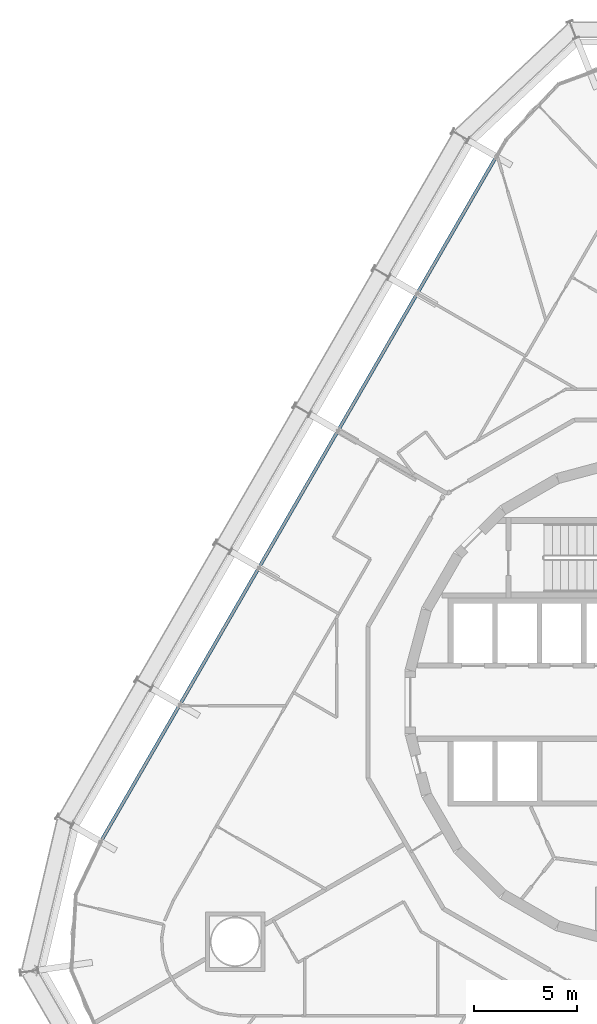
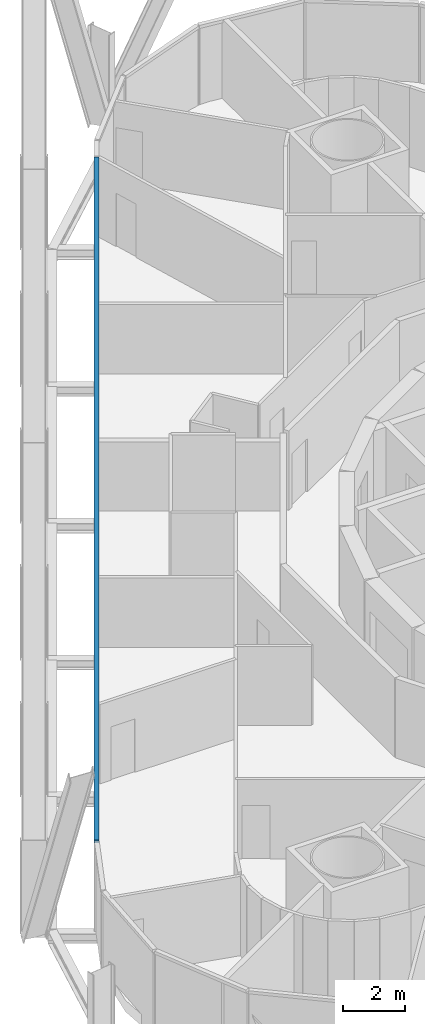
# One storey, part 6 of 21: 1 member, 1 element without a shape of its own.
"""IFC4 building model written with IfcOpenShell, lengths in metres."""

import ifcopenshell
import ifcopenshell.guid

model = None  # the IFC model being written
_history = None  # IfcOwnerHistory: only IFC2X3 demands one
_inside = {}  # id of a spatial element -> (the spatial element, [elements in it])
_under = {}  # id of a project, library or spatial element -> (it, [spatial elements below it])
_declared = {}  # id of a project -> (the project, [libraries it declares])
_typed = {}  # id of a type object -> (the type object, [elements of that type])
_made_of = {}  # id of a material, layer set ... -> (it, [elements and type objects made of it])


def new_model(schema):
    """Start an empty IFC model of exactly this schema.

    Asked for "IFC4X3", IfcOpenShell would pick the latest addendum, in which some entities
    have other attributes; the version numbers below select the first issue.
    IFC2X3 requires an IfcOwnerHistory on every rooted entity: one is made here for all.
    """
    global model, _history
    if schema == "IFC4X3":
        model = ifcopenshell.file(schema_version=(4, 3, 0, 0))
    else:
        model = ifcopenshell.file(schema=schema)
    _inside.clear()
    _under.clear()
    _declared.clear()
    _typed.clear()
    _made_of.clear()
    _history = None
    if model.schema == "IFC2X3":
        org = make("IfcOrganization", Name="unknown")
        user = make(
            "IfcPersonAndOrganization",
            ThePerson=make("IfcPerson", FamilyName="unknown"),
            TheOrganization=org,
        )
        app = make(
            "IfcApplication",
            ApplicationDeveloper=org,
            Version="unknown",
            ApplicationFullName="unknown",
            ApplicationIdentifier="unknown",
        )
        _history = make(
            "IfcOwnerHistory",
            OwningUser=user,
            OwningApplication=app,
            ChangeAction="ADDED",
            CreationDate=0,
        )
    return model


def make(cls, **values):
    """One entity of the class cls with the attributes given. An attribute that is None is left unset."""
    return model.create_entity(
        cls, **{name: value for name, value in values.items() if value is not None}
    )


def rooted(cls, **values):
    """An entity with a GlobalId (a new one), such as an element, a storey or a relation."""
    return make(cls, GlobalId=ifcopenshell.guid.new(), OwnerHistory=_history, **values)


def si_unit(unit_type, name, prefix=None):
    """IfcSIUnit, for example si_unit("LENGTHUNIT", "METRE", prefix="MILLI")."""
    return make("IfcSIUnit", UnitType=unit_type, Prefix=prefix, Name=name)


def assignment(units):
    """IfcUnitAssignment: the units of a project."""
    return None if units is None else make("IfcUnitAssignment", Units=units)


def point(xyz):
    """IfcCartesianPoint."""
    return None if xyz is None else make("IfcCartesianPoint", Coordinates=xyz)


def direction(xyz):
    """IfcDirection."""
    return None if xyz is None else make("IfcDirection", DirectionRatios=xyz)


def frame(location, z_axis=None, x_axis=None):
    """IfcAxis2Placement3D, a coordinate frame: its origin and axes. An axis left out is left unset."""
    return make(
        "IfcAxis2Placement3D",
        Location=point(location),
        Axis=direction(z_axis),
        RefDirection=direction(x_axis),
    )


def frame_2d(location, x_axis=None):
    """IfcAxis2Placement2D, a coordinate frame in the plane: its origin and x axis."""
    return make(
        "IfcAxis2Placement2D", Location=point(location), RefDirection=direction(x_axis)
    )


def origin():
    """The frame at (0, 0, 0) with its axes left unset."""
    return frame((0.0, 0.0, 0.0))


def origin_2d():
    """The frame at (0, 0) in the plane with its x axis left unset."""
    return frame_2d((0.0, 0.0))


def place(relative_to, where):
    """IfcLocalPlacement: puts the frame where relative to a parent placement (None: the world)."""
    return make(
        "IfcLocalPlacement", PlacementRelTo=relative_to, RelativePlacement=where
    )


def context(
    kind, dimensions, precision=None, world=None, true_north=None, identifier=None
):
    """IfcGeometricRepresentationContext, for example the 3D "Model" context."""
    return make(
        "IfcGeometricRepresentationContext",
        ContextIdentifier=identifier,
        ContextType=kind,
        CoordinateSpaceDimension=dimensions,
        Precision=precision,
        WorldCoordinateSystem=world,
        TrueNorth=true_north,
    )


def subcontext(parent, identifier, kind, view, scale=None):
    """IfcGeometricRepresentationSubContext, for example "Body" below "Model"."""
    return make(
        "IfcGeometricRepresentationSubContext",
        ContextIdentifier=identifier,
        ContextType=kind,
        ParentContext=parent,
        TargetScale=scale,
        TargetView=view,
    )


def project(units=None, contexts=None):
    """IfcProject with its units and contexts."""
    return rooted(
        "IfcProject",
        Name="project",
        RepresentationContexts=contexts,
        UnitsInContext=assignment(units),
    )


def spatial(cls, under=None, at=None, **own):
    """A site, building, storey or space (cls), placed at a placement, below another one or the project."""
    s = rooted(cls, ObjectPlacement=at, **own)
    if under is not None:
        _under.setdefault(under.id(), (under, []))[1].append(s)
    return s


def profile(cls, at=None, kind="AREA", **sizes):
    """A parametric profile (cls). Its sizes go by their IFC names, for example OverallWidth=200.0."""
    return make(cls, ProfileType=kind, Position=at, **sizes)


def rectangle(**sizes):
    """IfcRectangleProfileDef."""
    return profile("IfcRectangleProfileDef", **sizes)


def extrude(swept, where, along, depth):
    """IfcExtrudedAreaSolid: the profile swept, set in the frame where, extruded along a direction by depth."""
    return make(
        "IfcExtrudedAreaSolid",
        SweptArea=swept,
        Position=where,
        ExtrudedDirection=direction(along),
        Depth=depth,
    )


def shape(context_of_items, identifier, shape_type, items):
    """IfcShapeRepresentation: the items that make up one representation, for example the "Body"."""
    return make(
        "IfcShapeRepresentation",
        ContextOfItems=context_of_items,
        RepresentationIdentifier=identifier,
        RepresentationType=shape_type,
        Items=items,
    )


def material(Name=None, Category=None):
    """IfcMaterial."""
    return make("IfcMaterial", Name=Name, Category=Category)


def layer(
    of_material, thickness, ventilated=None, Name=None, Category=None, Priority=None
):
    """IfcMaterialLayer: one layer of a wall or slab, of a material (None: an air gap)."""
    return make(
        "IfcMaterialLayer",
        Material=of_material,
        LayerThickness=thickness,
        IsVentilated=ventilated,
        Name=Name,
        Category=Category,
        Priority=Priority,
    )


def layer_set(layers, Name=None):
    """IfcMaterialLayerSet."""
    return make("IfcMaterialLayerSet", MaterialLayers=layers, LayerSetName=Name)


def material_profile(
    of_material, cross_section, Name=None, Category=None, Priority=None
):
    """IfcMaterialProfile: a cross section and its material."""
    return make(
        "IfcMaterialProfile",
        Name=Name,
        Material=of_material,
        Profile=cross_section,
        Priority=Priority,
        Category=Category,
    )


def profile_set(profiles, Name=None, composite=None):
    """IfcMaterialProfileSet."""
    return make(
        "IfcMaterialProfileSet",
        Name=Name,
        MaterialProfiles=profiles,
        CompositeProfile=composite,
    )


def made_of(thing, what):
    """Note that an element or type object is made of a material, layer set ...; save() writes the relation."""
    if what is not None:
        _made_of.setdefault(what.id(), (what, []))[1].append(thing)
    return thing


def type_object(cls, material=None, **own):
    """A type object (cls), such as IfcWallType, which elements share."""
    return made_of(rooted(cls, **own), material)


def element(
    cls,
    number,
    at=None,
    inside=None,
    cuts=None,
    type_object=None,
    material=None,
    context=None,
    identifier="Body",
    shape_type=None,
    held_by="IfcProductDefinitionShape",
    body=None,
    shapes=None,
    **own,
):
    """One element of the class cls, such as IfcWall. Its Tag is "e" and its number.

    at: its placement. inside: the storey or other place that contains it. cuts: it is an
    opening in that element (IfcRelVoidsElement). A single representation is given by context,
    identifier, shape_type and body (its items); several are given by shapes. held_by: the class
    of the entity that holds the representations. save() writes the other relations.
    """
    e = rooted(cls, Tag="e%d" % number, ObjectPlacement=at, **own)
    if body is not None:
        shapes = [shape(context, identifier, shape_type, body)]
    if shapes is not None:
        e.Representation = make(held_by, Representations=shapes)
    if inside is not None:
        _inside.setdefault(inside.id(), (inside, []))[1].append(e)
    if cuts is not None:
        rooted(
            "IfcRelVoidsElement", RelatingBuildingElement=cuts, RelatedOpeningElement=e
        )
    if type_object is not None:
        _typed.setdefault(type_object.id(), (type_object, []))[1].append(e)
    return made_of(e, material)


def aggregate(whole, parts):
    """IfcRelAggregates: a whole, such as a stair, and the parts it consists of."""
    return rooted("IfcRelAggregates", RelatingObject=whole, RelatedObjects=parts)


def save(model, path):
    """Write the relations noted so far, then the file.

    IfcRelAggregates (storeys below a building ...), IfcRelContainedInSpatialStructure (elements
    in a storey), IfcRelDefinesByType, IfcRelAssociatesMaterial and IfcRelDeclares: one each for
    every whole, place, type object, material and project.
    """
    for whole, parts in _under.values():
        aggregate(whole, parts)
    for where, things in _inside.values():
        rooted(
            "IfcRelContainedInSpatialStructure",
            RelatedElements=things,
            RelatingStructure=where,
        )
    for kind, things in _typed.values():
        rooted("IfcRelDefinesByType", RelatedObjects=things, RelatingType=kind)
    for what, things in _made_of.values():
        rooted("IfcRelAssociatesMaterial", RelatedObjects=things, RelatingMaterial=what)
    for by, libraries in _declared.values():
        rooted("IfcRelDeclares", RelatingContext=by, RelatedDefinitions=libraries)
    model.write(path)


model = new_model("IFC4")

# Units and contexts
model_context = context("Model", 3, precision=1e-05, world=origin(), true_north=direction((0.0, 1.0)))
body_context = subcontext(model_context, "Body", "Model", "MODEL_VIEW")
ifc_project = project(units=[si_unit("LENGTHUNIT", "METRE"), si_unit("AREAUNIT", "SQUARE_METRE"), si_unit("VOLUMEUNIT", "CUBIC_METRE"), si_unit("PLANEANGLEUNIT", "RADIAN"), si_unit("MASSUNIT", "GRAM", prefix="KILO")], contexts=[model_context])

# Site, building, storey
site_placement = place(None, origin())
site = spatial("IfcSite", under=ifc_project, at=site_placement, CompositionType="ELEMENT")
building_placement = place(site_placement, origin())
building = spatial("IfcBuilding", under=site, at=building_placement, Name="Spindle Arch Residences", CompositionType="ELEMENT")
storey_placement = place(building_placement, frame((0.0, 0.0, 38.39990234375)))
storey = spatial("IfcBuildingStorey", under=building, at=storey_placement, Name="L07", CompositionType="ELEMENT", Elevation=38.39990234375)

# Curtain wall, member
ifc_material_1 = material(Name="Aluminium bronze unitised frame with tinted glass", Category="aluminium")
ifc_layer = layer(ifc_material_1, 0.159912109375)
ifc_layer_set = layer_set([ifc_layer], Name="CW-C typical residential unitised wall")
curtain_wall_type = type_object("IfcCurtainWallType", Name="CW-C typical residential unitised wall", PredefinedType="NOTDEFINED", material=ifc_layer_set)
curtain_wall_placement = place(storey_placement, origin())
curtain_wall = element("IfcCurtainWall", 1, at=curtain_wall_placement, inside=storey, type_object=curtain_wall_type, Name="CW-C L07 run 4", PredefinedType="NOTDEFINED")
ifc_material_2 = material(Name="Aluminium bronze anodised transom", Category="aluminium")
ifc_material_profile = material_profile(ifc_material_2, rectangle(XDim=0.159912109375, YDim=0.1201171875, at=origin_2d()), Name="TR 120x160")
ifc_profile_set = profile_set([ifc_material_profile], Name="Aluminium bronze anodised transom")
member_type = type_object("IfcMemberType", Name="Bronze transom 120x160", PredefinedType="USERDEFINED", material=ifc_profile_set)
member_placement = place(storey_placement, frame((-7.484130859375, 26.456787109375, 3.06005859375), z_axis=(-0.50000099666, -0.866024828362, 0.0), x_axis=(0.866024828362, -0.50000099666, 0.0)))
member = element("IfcMember", 2, at=member_placement, type_object=member_type, Name="CW-C transom 00", ObjectType="TRANSOM", PredefinedType="USERDEFINED", context=body_context, shape_type="SweptSolid", body=[
    extrude(rectangle(XDim=0.159912109375, YDim=0.1201171875, at=origin_2d()), origin(), (0.0, 0.0, 1.0), 38.34033203125),
])
aggregate(curtain_wall, [member])

save(model, "model.ifc")
